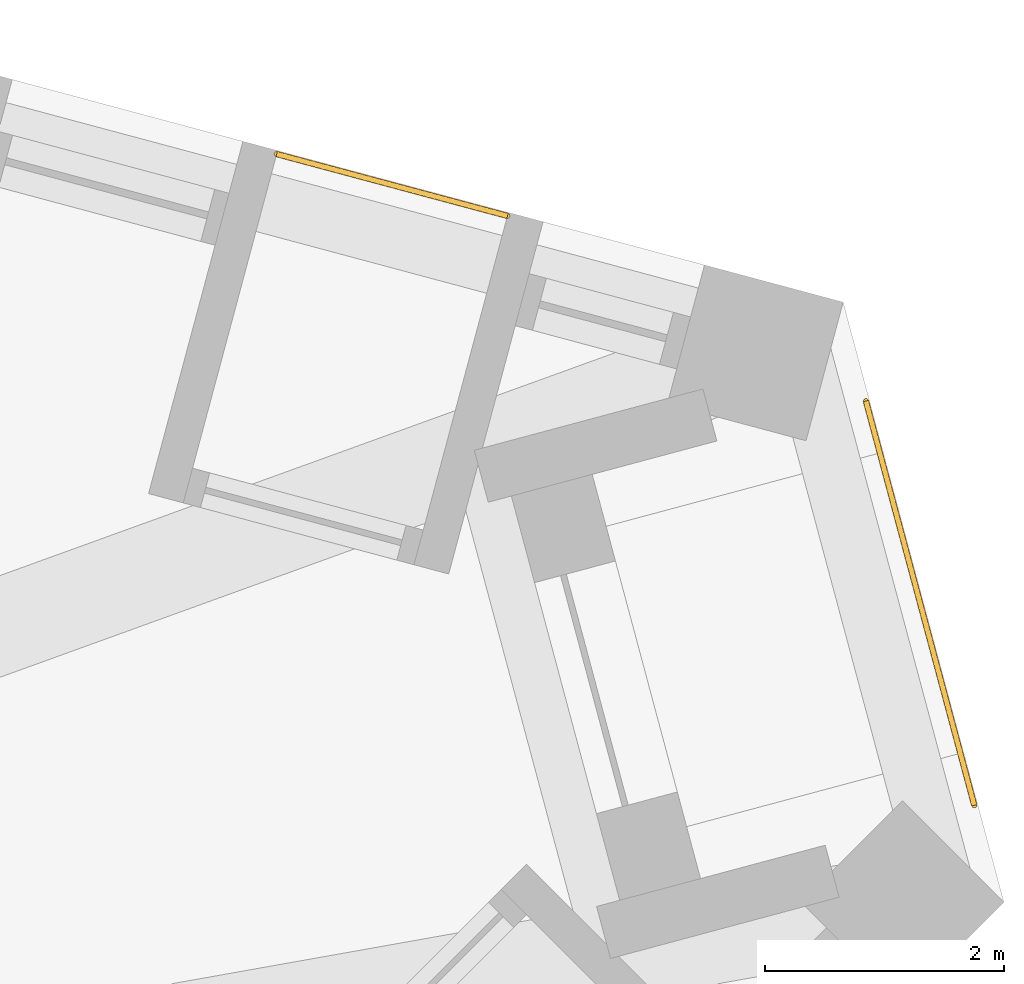
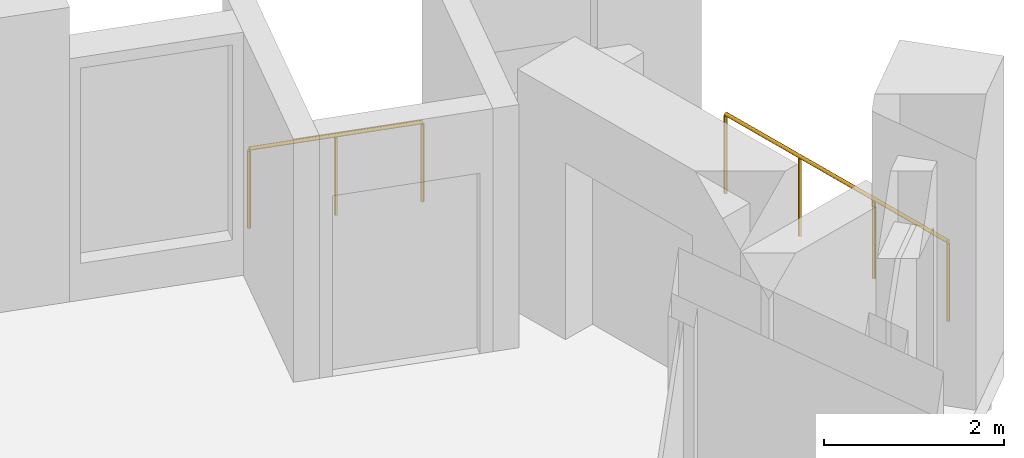
# One storey, part 13 of 13: 2 railings.
"""IFC4 building model written with IfcOpenShell, lengths in metres."""

from ifc_helpers import new_model, si_unit, direction, frame, origin, origin_2d, place, context, subcontext, project, spatial, circle, extrude, material, type_object, element, save


model = new_model("IFC4")

# Units and contexts
model_context = context("Model", 3, precision=1e-05, world=origin(), true_north=direction((0.0, 1.0)))
body_context = subcontext(model_context, "Body", "Model", "MODEL_VIEW")
ifc_project = project(units=[si_unit("LENGTHUNIT", "METRE"), si_unit("AREAUNIT", "SQUARE_METRE"), si_unit("VOLUMEUNIT", "CUBIC_METRE"), si_unit("PLANEANGLEUNIT", "RADIAN"), si_unit("MASSUNIT", "GRAM", prefix="KILO")], contexts=[model_context])

# Site, building, storey
site_placement = place(None, origin())
site = spatial("IfcSite", under=ifc_project, at=site_placement, CompositionType="ELEMENT")
building_placement = place(site_placement, origin())
building = spatial("IfcBuilding", under=site, at=building_placement, Name="Tramontana Tower", CompositionType="ELEMENT")
storey_placement = place(building_placement, frame((0.0, 0.0, 224.0)))
storey = spatial("IfcBuildingStorey", under=building, at=storey_placement, Name="L52", CompositionType="ELEMENT", Elevation=224.0)

# Railings
ifc_material = material(Name="Laminated glass balustrade", Category="glass")
railing_type = type_object("IfcRailingType", Name="GD1 Loggia glass balustrade 1100", PredefinedType="BALUSTRADE", material=ifc_material)
railing_1_placement = place(storey_placement, frame((24.04931640625, 10.60693359375, 0.0)))
element("IfcRailing", 1, at=railing_1_placement, inside=storey, type_object=railing_type, Name="Loggia balustrade L52 G5S2.1", PredefinedType="BALUSTRADE", context=body_context, shape_type="SweptSolid", body=[
    extrude(circle(Radius=0.02392578125, at=origin_2d()), frame((0.0, 0.0, 1.076171875), z_axis=(-0.96593005298, 0.258803270362, 0.0), x_axis=(-0.258803270362, -0.96593005298, 0.0)), (0.0, 0.0, 1.0), 1.998046875),
    extrude(circle(Radius=0.02099609375, at=origin_2d()), origin(), (0.0, 0.0, 1.0), 1.052001953125),
    extrude(circle(Radius=0.02099609375, at=origin_2d()), frame((-0.96484375, 0.258544921875, 0.0)), (0.0, 0.0, 1.0), 1.052001953125),
    extrude(circle(Radius=0.02099609375, at=origin_2d()), frame((-1.929931640625, 0.51708984375, 0.0)), (0.0, 0.0, 1.0), 1.052001953125),
])
railing_2_placement = place(storey_placement, frame((27.046875, 9.058837890625, 0.0)))
element("IfcRailing", 2, at=railing_2_placement, inside=storey, type_object=railing_type, Name="Corner loggia balustrade L52 K52", PredefinedType="BALUSTRADE", context=body_context, shape_type="SweptSolid", body=[
    extrude(circle(Radius=0.02392578125, at=origin_2d()), frame((0.0, 0.0, 1.076171875), z_axis=(0.258865093408, -0.965913486506, 0.0), x_axis=(0.965913486506, 0.258865093408, 0.0)), (0.0, 0.0, 1.0), 3.5),
    extrude(circle(Radius=0.02099609375, at=origin_2d()), origin(), (0.0, 0.0, 1.0), 1.052001953125),
    extrude(circle(Radius=0.02099609375, at=origin_2d()), frame((0.302001953125, -1.126953125, 0.0)), (0.0, 0.0, 1.0), 1.052001953125),
    extrude(circle(Radius=0.02099609375, at=origin_2d()), frame((0.60400390625, -2.253662109375, 0.0)), (0.0, 0.0, 1.0), 1.052001953125),
    extrude(circle(Radius=0.02099609375, at=origin_2d()), frame((0.906005859375, -3.380615234375, 0.0)), (0.0, 0.0, 1.0), 1.052001953125),
])

save(model, "model.ifc")
